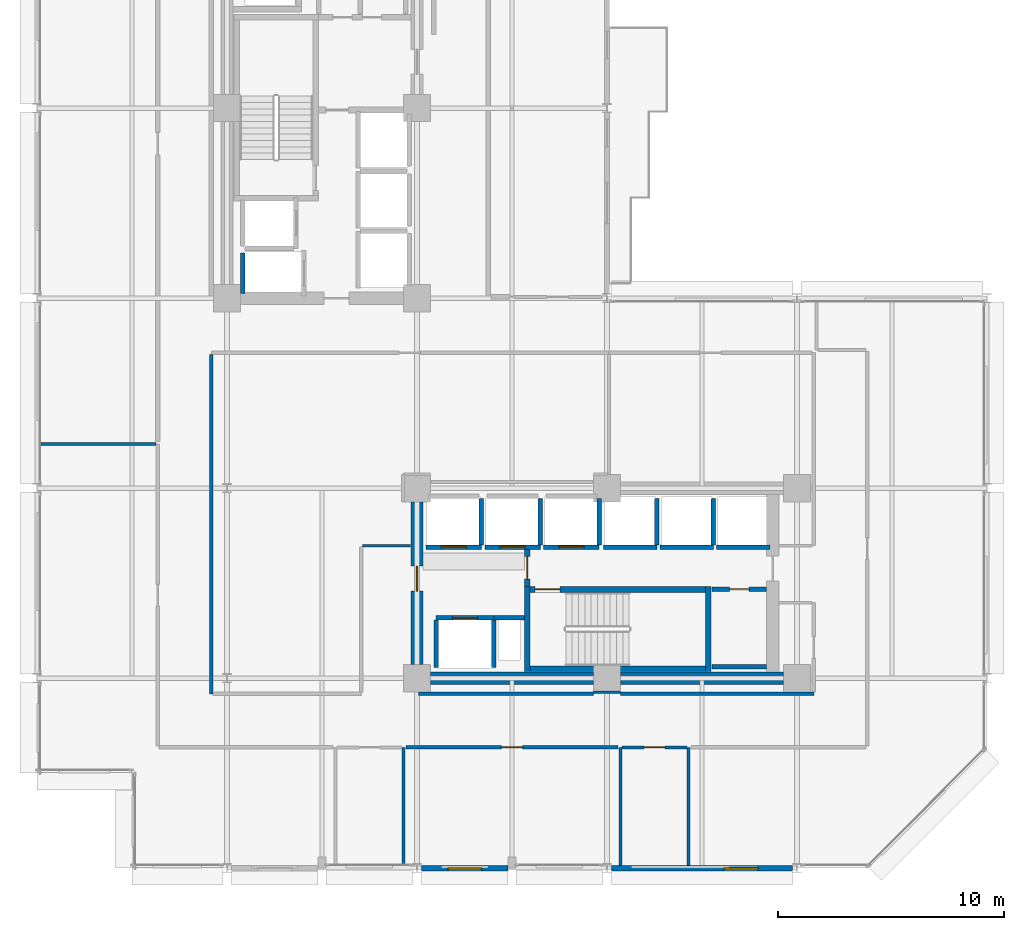
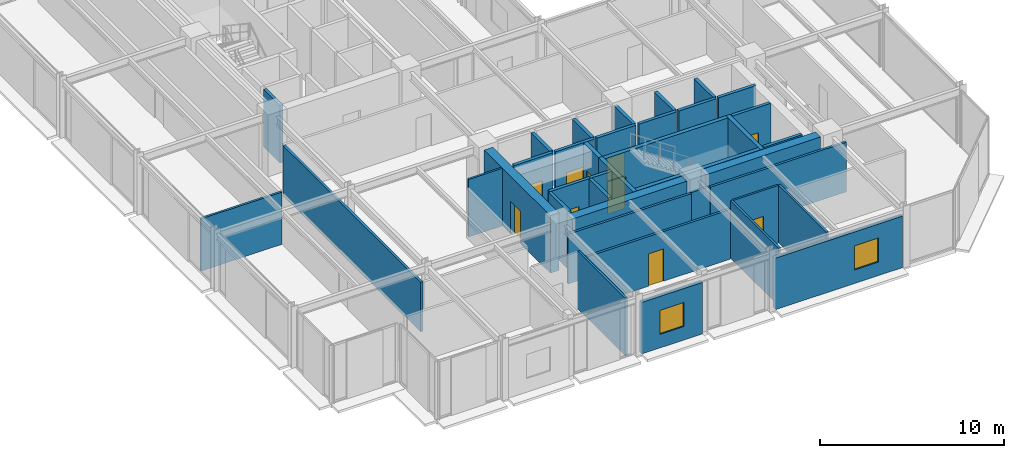
# One storey, part 24 of 30: 39 walls, 10 doors, 2 windows, 12 openings.
"""IFC4 building model written with IfcOpenShell, lengths in metres."""

from ifc_helpers import new_model, si_unit, direction, frame, frame_2d, origin, place, context, subcontext, project, spatial, rectangle, extrude, material, layer, layer_set, type_object, element, fill, save


model = new_model("IFC4")

# Units and contexts
model_context = context("Model", 3, precision=1e-05, world=origin(), true_north=direction((0.0, 1.0)))
body_context = subcontext(model_context, "Body", "Model", "MODEL_VIEW")
ifc_project = project(units=[si_unit("LENGTHUNIT", "METRE"), si_unit("AREAUNIT", "SQUARE_METRE"), si_unit("VOLUMEUNIT", "CUBIC_METRE"), si_unit("PLANEANGLEUNIT", "RADIAN"), si_unit("MASSUNIT", "GRAM", prefix="KILO")], contexts=[model_context])

# Site, building, storey
site_placement = place(None, origin())
site = spatial("IfcSite", under=ifc_project, at=site_placement, CompositionType="ELEMENT")
building_placement = place(site_placement, origin())
building = spatial("IfcBuilding", under=site, at=building_placement, Name="Nerrivon Quay Data Exchange", CompositionType="ELEMENT")
storey_placement = place(building_placement, frame((0.0, 0.0, 117.199951171875)))
storey = spatial("IfcBuildingStorey", under=building, at=storey_placement, Name="L27", CompositionType="ELEMENT", Elevation=117.199951171875)

# Wall, opening, window
ifc_material_1 = material(Name="Architectural terracotta precast concrete N50 (50 MPa)", Category="masonry")
ifc_layer_1 = layer(ifc_material_1, 0.239990234375)
ifc_layer_set_1 = layer_set([ifc_layer_1], Name="Architectural terracotta precast concrete N50 (50 MPa)")
wall_type_1 = type_object("IfcWallType", Name="EW-PREC-240", PredefinedType="STANDARD", material=ifc_layer_set_1)
wall_1_placement = place(storey_placement, frame((33.39990234375, 0.0, 0.0), z_axis=(0.0, 0.0, 1.0), x_axis=(-1.0, 0.0, 0.0)))
wall_1 = element("IfcWall", 1, at=wall_1_placement, inside=storey, type_object=wall_type_1, Name="L27 Podium Precast Spandrel Wall 3", PredefinedType="STANDARD", context=body_context, shape_type="SweptSolid", body=[
    extrude(rectangle(XDim=8.0, YDim=0.239990234375, at=frame_2d((4.0, 0.0))), origin(), (0.0, 0.0, 1.0), 3.422119140625),
])
opening_1_placement = place(wall_1_placement, frame((1.534912109375, 0.0, 0.89990234375)))
opening_1 = element("IfcOpeningElement", 2, at=opening_1_placement, cuts=wall_1, Name="Opening WN4", PredefinedType="OPENING", context=body_context, shape_type="SweptSolid", body=[
    extrude(rectangle(XDim=1.5, YDim=1.60009765625, at=frame_2d((0.75, 0.800048828125))), frame((0.0, 0.1298828125, 0.0), z_axis=(0.0, -1.0, 0.0), x_axis=(1.0, 0.0, 0.0)), (0.0, 0.0, 1.0), 0.260009765625),
])
ifc_material_2 = material(Name="Double-glazed low-E solar control glass", Category="glass")
window_type = type_object("IfcWindowType", Name="WIN-W4-1500x1600", PartitioningType="SINGLE_PANEL", PredefinedType="WINDOW", material=ifc_material_2)
window_1_placement = place(opening_1_placement, origin())
window_1 = element("IfcWindow", 3, at=window_1_placement, inside=storey, type_object=window_type, Name="L27 Solar Facade Window 3", OverallHeight=1.60009765625, OverallWidth=1.5, PartitioningType="SINGLE_PANEL", PredefinedType="WINDOW", context=body_context, shape_type="SweptSolid", body=[
    extrude(rectangle(XDim=1.5, YDim=1.60009765625, at=frame_2d((0.75, 0.800048828125))), frame((0.0, 0.030029296875, 0.0), z_axis=(0.0, -1.0, 0.0), x_axis=(1.0, 0.0, 0.0)), (0.0, 0.0, 1.0), 0.06005859375),
])
fill(opening_1, window_1)

wall_2_placement = place(storey_placement, frame((20.824951171875, 0.0, 0.0), z_axis=(0.0, 0.0, 1.0), x_axis=(-1.0, 0.0, 0.0)))
wall_2 = element("IfcWall", 4, at=wall_2_placement, inside=storey, type_object=wall_type_1, Name="L27 Podium Precast Spandrel Wall 5", PredefinedType="STANDARD", context=body_context, shape_type="SweptSolid", body=[
    extrude(rectangle(XDim=3.824951171875, YDim=0.239990234375, at=frame_2d((1.91259765625, 0.0))), origin(), (0.0, 0.0, 1.0), 3.422119140625),
])
opening_2_placement = place(wall_2_placement, frame((1.16259765625, 0.0, 0.89990234375)))
opening_2 = element("IfcOpeningElement", 5, at=opening_2_placement, cuts=wall_2, Name="Opening WN4", PredefinedType="OPENING", context=body_context, shape_type="SweptSolid", body=[
    extrude(rectangle(XDim=1.5, YDim=1.60009765625, at=frame_2d((0.75, 0.800048828125))), frame((0.0, 0.1298828125, 0.0), z_axis=(0.0, -1.0, 0.0), x_axis=(1.0, 0.0, 0.0)), (0.0, 0.0, 1.0), 0.260009765625),
])
window_2_placement = place(opening_2_placement, origin())
window_2 = element("IfcWindow", 6, at=window_2_placement, inside=storey, type_object=window_type, Name="L27 Solar Facade Window 5", OverallHeight=1.60009765625, OverallWidth=1.5, PartitioningType="SINGLE_PANEL", PredefinedType="WINDOW", context=body_context, shape_type="SweptSolid", body=[
    extrude(rectangle(XDim=1.5, YDim=1.60009765625, at=frame_2d((0.75, 0.800048828125))), frame((0.0, 0.030029296875, 0.0), z_axis=(0.0, -1.0, 0.0), x_axis=(1.0, 0.0, 0.0)), (0.0, 0.0, 1.0), 0.06005859375),
])
fill(opening_2, window_2)

# Walls
ifc_material_3 = material(Name="Concrete S65 (65 MPa)", Category="concrete")
ifc_layer_2 = layer(ifc_material_3, 0.550048828125)
ifc_layer_set_2 = layer_set([ifc_layer_2], Name="Concrete S65 (65 MPa)")
wall_type_2 = type_object("IfcWallType", Name="WALL-CW-700", PredefinedType="SHEAR", material=ifc_layer_set_2)
wall_3_placement = place(storey_placement, frame((17.39990234375, 8.39990234375, 0.0), z_axis=(0.0, 0.0, 1.0), x_axis=(1.0, 0.0, 0.0)))
element("IfcWall", 7, at=wall_3_placement, inside=storey, type_object=wall_type_2, Name="L27 East Split-Core Shear Wall ECW-S1", PredefinedType="SHEAR", context=body_context, shape_type="SweptSolid", body=[
    extrude(rectangle(XDim=7.2001953125, YDim=0.550048828125, at=frame_2d((3.60009765625, 0.0))), origin(), (0.0, 0.0, 1.0), 3.824951171875),
])
wall_4_placement = place(storey_placement, frame((25.800048828125, 8.39990234375, 0.0), z_axis=(0.0, 0.0, 1.0), x_axis=(1.0, 0.0, 0.0)))
element("IfcWall", 8, at=wall_4_placement, inside=storey, type_object=wall_type_2, Name="L27 East Split-Core Shear Wall ECW-S2", PredefinedType="SHEAR", context=body_context, shape_type="SweptSolid", body=[
    extrude(rectangle(XDim=7.199951171875, YDim=0.550048828125, at=frame_2d((3.60009765625, 0.0))), origin(), (0.0, 0.0, 1.0), 3.824951171875),
])

# Wall, opening, door
wall_5_placement = place(storey_placement, frame((16.800048828125, 9.0, 0.0), z_axis=(0.0, 0.0, 1.0), x_axis=(0.0, 1.0, 0.0)))
wall_5 = element("IfcWall", 9, at=wall_5_placement, inside=storey, type_object=wall_type_2, Name="L27 East Split-Core Shear Wall ECW-W1", PredefinedType="SHEAR", context=body_context, shape_type="SweptSolid", body=[
    extrude(rectangle(XDim=7.199951171875, YDim=0.550048828125, at=frame_2d((3.60009765625, 0.0))), origin(), (0.0, 0.0, 1.0), 3.824951171875),
])
opening_3_placement = place(wall_5_placement, frame((3.25, 0.0, 0.0)))
opening_3 = element("IfcOpeningElement", 10, at=opening_3_placement, cuts=wall_5, Name="Opening FD-120", PredefinedType="OPENING", context=body_context, shape_type="SweptSolid", body=[
    extrude(rectangle(XDim=1.10009765625, YDim=2.14990234375, at=frame_2d((0.550048828125, 1.074951171875))), frame((0.0, 0.284912109375, 0.0), z_axis=(0.0, -1.0, 0.0), x_axis=(1.0, 0.0, 0.0)), (0.0, 0.0, 1.0), 0.570068359375),
])
ifc_material_4 = material(Name="Powder-coated galvanized steel sheet", Category="steel")
door_type_1 = type_object("IfcDoorType", Name="DR-FD120-1100", OperationType="NOTDEFINED", PredefinedType="DOOR", material=ifc_material_4)
door_1_placement = place(opening_3_placement, origin())
door_1 = element("IfcDoor", 11, at=door_1_placement, inside=storey, type_object=door_type_1, Name="L27 East Core Lobby Fire Door", OperationType="SINGLE_SWING_LEFT", OverallHeight=2.14990234375, OverallWidth=1.10009765625, PredefinedType="DOOR", context=body_context, shape_type="SweptSolid", body=[
    extrude(rectangle(XDim=1.10009765625, YDim=2.14990234375, at=frame_2d((0.550048828125, 1.074951171875))), frame((0.0, 0.02490234375, 0.0), z_axis=(0.0, -1.0, 0.0), x_axis=(1.0, 0.0, 0.0)), (0.0, 0.0, 1.0), 0.050048828125),
])
fill(opening_3, door_1)

# Walls
ifc_material_5 = material(Name="Gypsum plasterboard on cold-formed framing", Category="gypsum")
ifc_layer_3 = layer(ifc_material_5, 0.199951171875)
ifc_layer_set_3 = layer_set([ifc_layer_3], Name="Gypsum plasterboard on cold-formed framing")
wall_type_3 = type_object("IfcWallType", Name="WALL-FW-200", PredefinedType="PARTITIONING", material=ifc_layer_set_3)
wall_6_placement = place(storey_placement, frame((20.199951171875, 11.080078125, 0.0), z_axis=(0.0, 0.0, 1.0), x_axis=(1.0, 0.0, 0.0)))
element("IfcWall", 12, at=wall_6_placement, inside=storey, type_object=wall_type_3, Name="L27 East Core MEP Riser Shaft Wall N", PredefinedType="PARTITIONING", context=body_context, shape_type="SweptSolid", body=[
    extrude(rectangle(XDim=1.35009765625, YDim=0.199951171875, at=frame_2d((0.675048828125, 0.0))), origin(), (0.0, 0.0, 1.0), 3.824951171875),
])
wall_7_placement = place(storey_placement, frame((9.10009765625, 25.39990234375, 0.0), z_axis=(0.0, 0.0, 1.0), x_axis=(0.0, 1.0, 0.0)))
element("IfcWall", 13, at=wall_7_placement, inside=storey, type_object=wall_type_3, Name="L27 Lift Shaft Wall SVL-1 WEST", PredefinedType="PARTITIONING", context=body_context, shape_type="SweptSolid", body=[
    extrude(rectangle(XDim=1.800048828125, YDim=0.199951171875, at=frame_2d((0.89990234375, 0.0))), origin(), (0.0, 0.0, 1.0), 3.824951171875),
])

# Wall, opening, door
wall_8_placement = place(storey_placement, frame((17.64990234375, 11.080078125, 0.0), z_axis=(0.0, 0.0, 1.0), x_axis=(1.0, 0.0, 0.0)))
wall_8 = element("IfcWall", 14, at=wall_8_placement, inside=storey, type_object=wall_type_3, Name="L27 Lift Front Wall FFL-2", PredefinedType="PARTITIONING", context=body_context, shape_type="SweptSolid", body=[
    extrude(rectangle(XDim=2.550048828125, YDim=0.199951171875, at=frame_2d((1.27490234375, 0.0))), origin(), (0.0, 0.0, 1.0), 3.824951171875),
])
opening_4_placement = place(wall_8_placement, frame((0.72509765625, 0.0, 0.0)))
opening_4 = element("IfcOpeningElement", 15, at=opening_4_placement, cuts=wall_8, Name="Opening LD-120", PredefinedType="OPENING", context=body_context, shape_type="SweptSolid", body=[
    extrude(rectangle(XDim=1.10009765625, YDim=2.199951171875, at=frame_2d((0.550048828125, 1.10009765625))), frame((0.0, 0.10986328125, 0.0), z_axis=(0.0, -1.0, 0.0), x_axis=(1.0, 0.0, 0.0)), (0.0, 0.0, 1.0), 0.219970703125),
])
door_type_2 = type_object("IfcDoorType", Name="DR-LIFT-LD120", OperationType="DOUBLE_DOOR_SLIDING", PredefinedType="DOOR", material=ifc_material_4)
door_2_placement = place(opening_4_placement, origin())
door_2 = element("IfcDoor", 16, at=door_2_placement, inside=storey, type_object=door_type_2, Name="L27 Lift Landing Sliding Door FFL-2", OperationType="DOUBLE_DOOR_SLIDING", OverallHeight=2.199951171875, OverallWidth=1.10009765625, PredefinedType="DOOR", context=body_context, shape_type="SweptSolid", body=[
    extrude(rectangle(XDim=1.10009765625, YDim=2.199951171875, at=frame_2d((0.550048828125, 1.10009765625))), frame((0.0, 0.02490234375, 0.0), z_axis=(0.0, -1.0, 0.0), x_axis=(1.0, 0.0, 0.0)), (0.0, 0.0, 1.0), 0.050048828125),
])
fill(opening_4, door_2)

# Walls
for number, where, z_axis, x_axis, name in (
    (17, (20.199951171875, 8.8798828125, 0.0), (0.0, 0.0, 1.0), (0.0, 1.0, 0.0), "L27 Lift Shaft Wall FFL-2 EAST"),
    (18, (17.64990234375, 8.8798828125, 0.0), (0.0, 0.0, 1.0), (0.0, 1.0, 0.0), "L27 Lift Shaft Wall FFL-2 WEST"),
):
    element("IfcWall", number, at=place(storey_placement, frame(where, z_axis=z_axis, x_axis=x_axis)), inside=storey, type_object=wall_type_3, Name=name, PredefinedType="PARTITIONING", context=body_context, shape_type="SweptSolid", body=[
        extrude(rectangle(XDim=2.10009765625, YDim=0.199951171875, at=frame_2d((1.050048828125, 0.0))), origin(), (0.0, 0.0, 1.0), 3.824951171875),
    ])

# Wall, opening, door
wall_9_placement = place(storey_placement, frame((17.199951171875, 14.199951171875, 0.0), z_axis=(0.0, 0.0, 1.0), x_axis=(1.0, 0.0, 0.0)))
wall_9 = element("IfcWall", 19, at=wall_9_placement, inside=storey, type_object=wall_type_3, Name="L27 Lift Front Wall PL4", PredefinedType="PARTITIONING", context=body_context, shape_type="SweptSolid", body=[
    extrude(rectangle(XDim=2.449951171875, YDim=0.199951171875, at=frame_2d((1.22509765625, 0.0))), origin(), (0.0, 0.0, 1.0), 3.824951171875),
])
opening_5_placement = place(wall_9_placement, frame((0.675048828125, 0.0, 0.0)))
opening_5 = element("IfcOpeningElement", 20, at=opening_5_placement, cuts=wall_9, Name="Opening LD-120", PredefinedType="OPENING", context=body_context, shape_type="SweptSolid", body=[
    extrude(rectangle(XDim=1.10009765625, YDim=2.199951171875, at=frame_2d((0.550048828125, 1.10009765625))), frame((0.0, 0.10986328125, 0.0), z_axis=(0.0, -1.0, 0.0), x_axis=(1.0, 0.0, 0.0)), (0.0, 0.0, 1.0), 0.219970703125),
])
door_3_placement = place(opening_5_placement, origin())
door_3 = element("IfcDoor", 21, at=door_3_placement, inside=storey, type_object=door_type_2, Name="L27 Lift Landing Sliding Door PL4", OperationType="DOUBLE_DOOR_SLIDING", OverallHeight=2.199951171875, OverallWidth=1.10009765625, PredefinedType="DOOR", context=body_context, shape_type="SweptSolid", body=[
    extrude(rectangle(XDim=1.10009765625, YDim=2.199951171875, at=frame_2d((0.550048828125, 1.10009765625))), frame((0.0, 0.02490234375, 0.0), z_axis=(0.0, -1.0, 0.0), x_axis=(1.0, 0.0, 0.0)), (0.0, 0.0, 1.0), 0.050048828125),
])
fill(opening_5, door_3)

# Wall
wall_10_placement = place(storey_placement, frame((19.64990234375, 14.300048828125, 0.0), z_axis=(0.0, 0.0, 1.0), x_axis=(0.0, 1.0, 0.0)))
element("IfcWall", 22, at=wall_10_placement, inside=storey, type_object=wall_type_3, Name="L27 Lift Shaft Wall PL4 EAST", PredefinedType="PARTITIONING", context=body_context, shape_type="SweptSolid", body=[
    extrude(rectangle(XDim=2.050048828125, YDim=0.199951171875, at=frame_2d((1.02490234375, 0.0))), origin(), (0.0, 0.0, 1.0), 3.824951171875),
])

# Wall, opening, door
wall_11_placement = place(storey_placement, frame((19.800048828125, 14.199951171875, 0.0), z_axis=(0.0, 0.0, 1.0), x_axis=(1.0, 0.0, 0.0)))
wall_11 = element("IfcWall", 23, at=wall_11_placement, inside=storey, type_object=wall_type_3, Name="L27 Lift Front Wall PL5", PredefinedType="PARTITIONING", context=body_context, shape_type="SweptSolid", body=[
    extrude(rectangle(XDim=2.449951171875, YDim=0.199951171875, at=frame_2d((1.22509765625, 0.0))), origin(), (0.0, 0.0, 1.0), 3.824951171875),
])
opening_6_placement = place(wall_11_placement, frame((0.675048828125, 0.0, 0.0)))
opening_6 = element("IfcOpeningElement", 24, at=opening_6_placement, cuts=wall_11, Name="Opening LD-120", PredefinedType="OPENING", context=body_context, shape_type="SweptSolid", body=[
    extrude(rectangle(XDim=1.10009765625, YDim=2.199951171875, at=frame_2d((0.550048828125, 1.10009765625))), frame((0.0, 0.10986328125, 0.0), z_axis=(0.0, -1.0, 0.0), x_axis=(1.0, 0.0, 0.0)), (0.0, 0.0, 1.0), 0.219970703125),
])
door_4_placement = place(opening_6_placement, origin())
door_4 = element("IfcDoor", 25, at=door_4_placement, inside=storey, type_object=door_type_2, Name="L27 Lift Landing Sliding Door PL5", OperationType="DOUBLE_DOOR_SLIDING", OverallHeight=2.199951171875, OverallWidth=1.10009765625, PredefinedType="DOOR", context=body_context, shape_type="SweptSolid", body=[
    extrude(rectangle(XDim=1.10009765625, YDim=2.199951171875, at=frame_2d((0.550048828125, 1.10009765625))), frame((0.0, 0.02490234375, 0.0), z_axis=(0.0, -1.0, 0.0), x_axis=(1.0, 0.0, 0.0)), (0.0, 0.0, 1.0), 0.050048828125),
])
fill(opening_6, door_4)

# Wall
wall_12_placement = place(storey_placement, frame((22.25, 14.300048828125, 0.0), z_axis=(0.0, 0.0, 1.0), x_axis=(0.0, 1.0, 0.0)))
element("IfcWall", 26, at=wall_12_placement, inside=storey, type_object=wall_type_3, Name="L27 Lift Shaft Wall PL5 EAST", PredefinedType="PARTITIONING", context=body_context, shape_type="SweptSolid", body=[
    extrude(rectangle(XDim=2.050048828125, YDim=0.199951171875, at=frame_2d((1.02490234375, 0.0))), origin(), (0.0, 0.0, 1.0), 3.824951171875),
])

# Wall, opening, door
wall_13_placement = place(storey_placement, frame((22.39990234375, 14.199951171875, 0.0), z_axis=(0.0, 0.0, 1.0), x_axis=(1.0, 0.0, 0.0)))
wall_13 = element("IfcWall", 27, at=wall_13_placement, inside=storey, type_object=wall_type_3, Name="L27 Lift Front Wall PL6", PredefinedType="PARTITIONING", context=body_context, shape_type="SweptSolid", body=[
    extrude(rectangle(XDim=2.4501953125, YDim=0.199951171875, at=frame_2d((1.22509765625, 0.0))), origin(), (0.0, 0.0, 1.0), 3.824951171875),
])
opening_7_placement = place(wall_13_placement, frame((0.675048828125, 0.0, 0.0)))
opening_7 = element("IfcOpeningElement", 28, at=opening_7_placement, cuts=wall_13, Name="Opening LD-120", PredefinedType="OPENING", context=body_context, shape_type="SweptSolid", body=[
    extrude(rectangle(XDim=1.10009765625, YDim=2.199951171875, at=frame_2d((0.550048828125, 1.10009765625))), frame((0.0, 0.10986328125, 0.0), z_axis=(0.0, -1.0, 0.0), x_axis=(1.0, 0.0, 0.0)), (0.0, 0.0, 1.0), 0.219970703125),
])
door_5_placement = place(opening_7_placement, origin())
door_5 = element("IfcDoor", 29, at=door_5_placement, inside=storey, type_object=door_type_2, Name="L27 Lift Landing Sliding Door PL6", OperationType="DOUBLE_DOOR_SLIDING", OverallHeight=2.199951171875, OverallWidth=1.10009765625, PredefinedType="DOOR", context=body_context, shape_type="SweptSolid", body=[
    extrude(rectangle(XDim=1.10009765625, YDim=2.199951171875, at=frame_2d((0.550048828125, 1.10009765625))), frame((0.0, 0.02490234375, 0.0), z_axis=(0.0, -1.0, 0.0), x_axis=(1.0, 0.0, 0.0)), (0.0, 0.0, 1.0), 0.050048828125),
])
fill(opening_7, door_5)

# Walls
wall_14_placement = place(storey_placement, frame((24.85009765625, 14.300048828125, 0.0), z_axis=(0.0, 0.0, 1.0), x_axis=(0.0, 1.0, 0.0)))
element("IfcWall", 30, at=wall_14_placement, inside=storey, type_object=wall_type_3, Name="L27 Lift Shaft Wall PL6 EAST", PredefinedType="PARTITIONING", context=body_context, shape_type="SweptSolid", body=[
    extrude(rectangle(XDim=2.050048828125, YDim=0.199951171875, at=frame_2d((1.02490234375, 0.0))), origin(), (0.0, 0.0, 1.0), 3.824951171875),
])
wall_15_placement = place(storey_placement, frame((25.050048828125, 14.199951171875, 0.0), z_axis=(0.0, 0.0, 1.0), x_axis=(1.0, 0.0, 0.0)))
element("IfcWall", 31, at=wall_15_placement, inside=storey, type_object=wall_type_3, Name="L27 Lift Front Wall PL7", PredefinedType="PARTITIONING", context=body_context, shape_type="SweptSolid", body=[
    extrude(rectangle(XDim=2.349853515625, YDim=0.199951171875, at=frame_2d((1.1748046875, 0.0))), origin(), (0.0, 0.0, 1.0), 3.824951171875),
])
wall_16_placement = place(storey_placement, frame((27.39990234375, 14.300048828125, 0.0), z_axis=(0.0, 0.0, 1.0), x_axis=(0.0, 1.0, 0.0)))
element("IfcWall", 32, at=wall_16_placement, inside=storey, type_object=wall_type_3, Name="L27 Lift Shaft Wall PL7 EAST", PredefinedType="PARTITIONING", context=body_context, shape_type="SweptSolid", body=[
    extrude(rectangle(XDim=2.050048828125, YDim=0.199951171875, at=frame_2d((1.02490234375, 0.0))), origin(), (0.0, 0.0, 1.0), 3.824951171875),
])
wall_17_placement = place(storey_placement, frame((27.550048828125, 14.199951171875, 0.0), z_axis=(0.0, 0.0, 1.0), x_axis=(1.0, 0.0, 0.0)))
element("IfcWall", 33, at=wall_17_placement, inside=storey, type_object=wall_type_3, Name="L27 Lift Front Wall PL8", PredefinedType="PARTITIONING", context=body_context, shape_type="SweptSolid", body=[
    extrude(rectangle(XDim=2.349853515625, YDim=0.199951171875, at=frame_2d((1.1748046875, 0.0))), origin(), (0.0, 0.0, 1.0), 3.824951171875),
])
wall_18_placement = place(storey_placement, frame((29.89990234375, 14.300048828125, 0.0), z_axis=(0.0, 0.0, 1.0), x_axis=(0.0, 1.0, 0.0)))
element("IfcWall", 34, at=wall_18_placement, inside=storey, type_object=wall_type_3, Name="L27 Lift Shaft Wall PL8 EAST", PredefinedType="PARTITIONING", context=body_context, shape_type="SweptSolid", body=[
    extrude(rectangle(XDim=2.050048828125, YDim=0.199951171875, at=frame_2d((1.02490234375, 0.0))), origin(), (0.0, 0.0, 1.0), 3.824951171875),
])
wall_19_placement = place(storey_placement, frame((30.050048828125, 14.199951171875, 0.0), z_axis=(0.0, 0.0, 1.0), x_axis=(1.0, 0.0, 0.0)))
element("IfcWall", 35, at=wall_19_placement, inside=storey, type_object=wall_type_3, Name="L27 Lift Front Wall PL9", PredefinedType="PARTITIONING", context=body_context, shape_type="SweptSolid", body=[
    extrude(rectangle(XDim=2.349853515625, YDim=0.199951171875, at=frame_2d((1.1748046875, 0.0))), origin(), (0.0, 0.0, 1.0), 3.824951171875),
])

# Wall, opening, door
wall_20_placement = place(storey_placement, frame((32.24609375, 12.330078125, 0.0), z_axis=(0.0, 0.0, 1.0), x_axis=(-1.0, 0.0, 0.0)))
wall_20 = element("IfcWall", 36, at=wall_20_placement, inside=storey, type_object=wall_type_3, Name="L27 Partition East Supply Store", PredefinedType="PARTITIONING", context=body_context, shape_type="SweptSolid", body=[
    extrude(rectangle(XDim=2.39599609375, YDim=0.199951171875, at=frame_2d((1.197998046875, 0.0))), origin(), (0.0, 0.0, 1.0), 3.824951171875),
])
opening_8_placement = place(wall_20_placement, frame((0.77294921875, 0.0, 0.0)))
opening_8 = element("IfcOpeningElement", 37, at=opening_8_placement, cuts=wall_20, Name="Opening FD-60S", PredefinedType="OPENING", context=body_context, shape_type="SweptSolid", body=[
    extrude(rectangle(XDim=0.85009765625, YDim=2.14990234375, at=frame_2d((0.425048828125, 1.074951171875))), frame((0.0, 0.10986328125, 0.0), z_axis=(0.0, -1.0, 0.0), x_axis=(1.0, 0.0, 0.0)), (0.0, 0.0, 1.0), 0.219970703125),
])
ifc_material_6 = material(Name="Engineered hardwood timber", Category="wood")
door_type_3 = type_object("IfcDoorType", Name="DR-FD60-850", OperationType="NOTDEFINED", PredefinedType="DOOR", material=ifc_material_6)
door_6_placement = place(opening_8_placement, origin())
door_6 = element("IfcDoor", 38, at=door_6_placement, inside=storey, type_object=door_type_3, Name="L27 Door East Supply Store", OperationType="SINGLE_SWING_RIGHT", OverallHeight=2.14990234375, OverallWidth=0.85009765625, PredefinedType="DOOR", context=body_context, shape_type="SweptSolid", body=[
    extrude(rectangle(XDim=0.85009765625, YDim=2.14990234375, at=frame_2d((0.425048828125, 1.074951171875))), frame((0.0, 0.02490234375, 0.0), z_axis=(0.0, -1.0, 0.0), x_axis=(1.0, 0.0, 0.0)), (0.0, 0.0, 1.0), 0.050048828125),
])
fill(opening_8, door_6)

# Wall
wall_21_placement = place(storey_placement, frame((29.85009765625, 8.89990234375, 0.0), z_axis=(0.0, 0.0, 1.0), x_axis=(1.0, 0.0, 0.0)))
element("IfcWall", 39, at=wall_21_placement, inside=storey, type_object=wall_type_3, Name="L27 Partition East Supply Store", PredefinedType="PARTITIONING", context=body_context, shape_type="SweptSolid", body=[
    extrude(rectangle(XDim=2.39599609375, YDim=0.199951171875, at=frame_2d((1.197998046875, 0.0))), origin(), (0.0, 0.0, 1.0), 3.824951171875),
])

# Wall, opening, door
ifc_layer_4 = layer(ifc_material_5, 0.1201171875)
ifc_layer_set_4 = layer_set([ifc_layer_4], Name="Gypsum plasterboard on cold-formed framing")
wall_type_4 = type_object("IfcWallType", Name="WALL-PT-120", PredefinedType="PARTITIONING", material=ifc_layer_set_4)
wall_22_placement = place(storey_placement, frame((28.728515625, 5.340087890625, 0.0), z_axis=(0.0, 0.0, 1.0), x_axis=(-1.0, 0.0, 0.0)))
wall_22 = element("IfcWall", 40, at=wall_22_placement, inside=storey, type_object=wall_type_4, Name="L27 Partition Public Washrooms", PredefinedType="PARTITIONING", context=body_context, shape_type="SweptSolid", body=[
    extrude(rectangle(XDim=2.85693359375, YDim=0.1201171875, at=frame_2d((1.428466796875, 0.0))), origin(), (0.0, 0.0, 1.0), 3.824951171875),
])
opening_9_placement = place(wall_22_placement, frame((0.968505859375, 0.0, 0.0)))
opening_9 = element("IfcOpeningElement", 41, at=opening_9_placement, cuts=wall_22, Name="Opening D-WC", PredefinedType="OPENING", context=body_context, shape_type="SweptSolid", body=[
    extrude(rectangle(XDim=0.919921875, YDim=2.10009765625, at=frame_2d((0.4599609375, 1.050048828125))), frame((0.0, 0.070068359375, 0.0), z_axis=(0.0, -1.0, 0.0), x_axis=(1.0, 0.0, 0.0)), (0.0, 0.0, 1.0), 0.14013671875),
])
door_type_4 = type_object("IfcDoorType", Name="DR-WC-920", OperationType="NOTDEFINED", PredefinedType="DOOR", material=ifc_material_6)
door_7_placement = place(opening_9_placement, origin())
door_7 = element("IfcDoor", 42, at=door_7_placement, inside=storey, type_object=door_type_4, Name="L27 Door Public Washrooms", OperationType="SINGLE_SWING_RIGHT", OverallHeight=2.10009765625, OverallWidth=0.919921875, PredefinedType="DOOR", context=body_context, shape_type="SweptSolid", body=[
    extrude(rectangle(XDim=0.919921875, YDim=2.10009765625, at=frame_2d((0.4599609375, 1.050048828125))), frame((0.0, 0.02490234375, 0.0), z_axis=(0.0, -1.0, 0.0), x_axis=(1.0, 0.0, 0.0)), (0.0, 0.0, 1.0), 0.050048828125),
])
fill(opening_9, door_7)

# Walls
wall_23_placement = place(storey_placement, frame((25.805908203125, 7.781005859375, 0.0), z_axis=(0.0, 0.0, 1.0), x_axis=(-0.999999672047, -0.000809880277, 0.0)))
element("IfcWall", 43, at=wall_23_placement, inside=storey, type_object=wall_type_4, Name="L27 Partition Staff Pantry", PredefinedType="PARTITIONING", context=body_context, shape_type="SweptSolid", body=[
    extrude(rectangle(XDim=1.205810546875, YDim=0.1201171875, at=frame_2d((0.60302734375, 0.0))), origin(), (0.0, 0.0, 1.0), 3.297119140625),
])
wall_24_placement = place(storey_placement, frame((14.39990234375, 14.260009765625, 0.0), z_axis=(0.0, 0.0, 1.0), x_axis=(1.0, 0.0, 0.0)))
element("IfcWall", 44, at=wall_24_placement, inside=storey, type_object=wall_type_4, Name="L27 Partition Staff Bistro", PredefinedType="PARTITIONING", context=body_context, shape_type="SweptSolid", body=[
    extrude(rectangle(XDim=2.12109375, YDim=0.1201171875, at=frame_2d((1.060546875, 0.0))), origin(), (0.0, 0.0, 1.0), 3.824951171875),
])
ifc_layer_5 = layer(ifc_material_5, 0.135009765625)
ifc_layer_set_5 = layer_set([ifc_layer_5], Name="Gypsum plasterboard on cold-formed framing")
wall_type_5 = type_object("IfcWallType", Name="WALL-PT-135", PredefinedType="PARTITIONING", material=ifc_layer_set_5)
wall_25_placement = place(storey_placement, frame((16.199951171875, 0.1689453125, 0.0), z_axis=(0.0, 0.0, 1.0), x_axis=(0.0, 1.0, 0.0)))
element("IfcWall", 45, at=wall_25_placement, inside=storey, type_object=wall_type_5, Name="L27 Partition Accessible Toilet", PredefinedType="PARTITIONING", context=body_context, shape_type="SweptSolid", body=[
    extrude(rectangle(XDim=5.171142578125, YDim=0.135009765625, at=frame_2d((2.58544921875, 0.0))), origin(), (0.0, 0.0, 1.0), 3.824951171875),
])
for number, where, z_axis, x_axis, name in (
    (46, (25.800048828125, 5.340087890625, 0.0), (0.0, 0.0, 1.0), (0.0, -1.0, 0.0), "L27 Partition Public Washrooms"),
    (47, (28.800048828125, 0.1240234375, 0.0), (0.0, 0.0, 1.0), (0.0, 1.0, 0.0), "L27 Partition Public Washrooms"),
):
    element("IfcWall", number, at=place(storey_placement, frame(where, z_axis=z_axis, x_axis=x_axis)), inside=storey, type_object=wall_type_5, Name=name, PredefinedType="PARTITIONING", context=body_context, shape_type="SweptSolid", body=[
        extrude(rectangle(XDim=5.216064453125, YDim=0.135009765625, at=frame_2d((2.60791015625, 0.0))), origin(), (0.0, 0.0, 1.0), 3.824951171875),
    ])
wall_26_placement = place(storey_placement, frame((5.260986328125, 18.747314453125, 0.0), z_axis=(0.0, 0.0, 1.0), x_axis=(-1.0, 0.0, 0.0)))
element("IfcWall", 48, at=wall_26_placement, inside=storey, type_object=wall_type_5, Name="L27 Partition Quiet Reading Room", PredefinedType="PARTITIONING", context=body_context, shape_type="SweptSolid", body=[
    extrude(rectangle(XDim=5.092041015625, YDim=0.135009765625, at=frame_2d((2.5458984375, 0.0))), origin(), (0.0, 0.0, 1.0), 3.468994140625),
])
ifc_layer_6 = layer(ifc_material_5, 0.14990234375)
ifc_layer_set_6 = layer_set([ifc_layer_6], Name="Gypsum plasterboard on cold-formed framing")
wall_type_6 = type_object("IfcWallType", Name="WALL-PT-150", PredefinedType="PARTITIONING", material=ifc_layer_set_6)
wall_27_placement = place(storey_placement, frame((16.860107421875, 7.7099609375, 0.0), z_axis=(0.0, 0.0, 1.0), x_axis=(1.0, 0.0, 0.0)))
element("IfcWall", 49, at=wall_27_placement, inside=storey, type_object=wall_type_6, Name="L27 Partition Staff Pantry", PredefinedType="PARTITIONING", context=body_context, shape_type="SweptSolid", body=[
    extrude(rectangle(XDim=7.739990234375, YDim=0.14990234375, at=frame_2d((3.8701171875, 0.0))), origin(), (0.0, 0.0, 1.0), 3.297119140625),
])
wall_28_placement = place(storey_placement, frame((25.805908203125, 7.7099609375, 0.0), z_axis=(0.0, 0.0, 1.0), x_axis=(1.0, 0.0, 0.0)))
element("IfcWall", 50, at=wall_28_placement, inside=storey, type_object=wall_type_6, Name="L27 Partition Staff Pantry", PredefinedType="PARTITIONING", context=body_context, shape_type="SweptSolid", body=[
    extrude(rectangle(XDim=8.5341796875, YDim=0.14990234375, at=frame_2d((4.26708984375, 0.0))), origin(), (0.0, 0.0, 1.0), 3.297119140625),
])

# Wall, opening, door
wall_29_placement = place(storey_placement, frame((25.679931640625, 5.340087890625, 0.0), z_axis=(0.0, 0.0, 1.0), x_axis=(-1.0, 0.0, 0.0)))
wall_29 = element("IfcWall", 51, at=wall_29_placement, inside=storey, type_object=wall_type_6, Name="L27 Partition Client Conference Room 1", PredefinedType="PARTITIONING", context=body_context, shape_type="SweptSolid", body=[
    extrude(rectangle(XDim=9.35986328125, YDim=0.14990234375, at=frame_2d((4.679931640625, 0.0))), origin(), (0.0, 0.0, 1.0), 3.297119140625),
])
opening_10_placement = place(wall_29_placement, frame((4.205078125, 0.0, 0.0)))
opening_10 = element("IfcOpeningElement", 52, at=opening_10_placement, cuts=wall_29, Name="Opening D-01", PredefinedType="OPENING", context=body_context, shape_type="SweptSolid", body=[
    extrude(rectangle(XDim=0.949951171875, YDim=2.14990234375, at=frame_2d((0.47509765625, 1.074951171875))), frame((0.0, 0.0849609375, 0.0), z_axis=(0.0, -1.0, 0.0), x_axis=(1.0, 0.0, 0.0)), (0.0, 0.0, 1.0), 0.169921875),
])
door_type_5 = type_object("IfcDoorType", Name="DR-INT-950", OperationType="NOTDEFINED", PredefinedType="DOOR", material=ifc_material_6)
door_8_placement = place(opening_10_placement, origin())
door_8 = element("IfcDoor", 53, at=door_8_placement, inside=storey, type_object=door_type_5, Name="L27 Door Client Conference Room 1", OperationType="SINGLE_SWING_RIGHT", OverallHeight=2.14990234375, OverallWidth=0.949951171875, PredefinedType="DOOR", context=body_context, shape_type="SweptSolid", body=[
    extrude(rectangle(XDim=0.949951171875, YDim=2.14990234375, at=frame_2d((0.47509765625, 1.074951171875))), frame((0.0, 0.02490234375, 0.0), z_axis=(0.0, -1.0, 0.0), x_axis=(1.0, 0.0, 0.0)), (0.0, 0.0, 1.0), 0.050048828125),
])
fill(opening_10, door_8)

# Walls
wall_30_placement = place(storey_placement, frame((7.7099609375, 22.7109375, 0.0), z_axis=(0.0, 0.0, 1.0), x_axis=(0.0, -1.0, 0.0)))
element("IfcWall", 54, at=wall_30_placement, inside=storey, type_object=wall_type_6, Name="L27 Partition Staff Bistro", PredefinedType="PARTITIONING", context=body_context, shape_type="SweptSolid", body=[
    extrude(rectangle(XDim=15.0009765625, YDim=0.14990234375, at=frame_2d((7.50048828125, 0.0))), origin(), (0.0, 0.0, 1.0), 3.2919921875),
])
ifc_material_7 = material(Name="Concrete N50 (50 MPa)", Category="concrete")
ifc_layer_7 = layer(ifc_material_7, 0.25)
ifc_layer_set_7 = layer_set([ifc_layer_7], Name="Concrete N50 (50 MPa)")
wall_type_7 = type_object("IfcWallType", Name="WALL-SW-250", PredefinedType="SHEAR", material=ifc_layer_set_7)
for number, where, z_axis, x_axis, name in (
    (55, (21.675048828125, 8.699951171875, 0.0), (0.0, 0.0, 1.0), (0.0, 1.0, 0.0), "L27 ST02 Structural Stair Core Wall NEAR"),
    (56, (29.675048828125, 8.699951171875, 0.0), (0.0, 0.0, 1.0), (0.0, 1.0, 0.0), "L27 ST02 Structural Stair Core Wall FAR"),
):
    element("IfcWall", number, at=place(storey_placement, frame(where, z_axis=z_axis, x_axis=x_axis)), inside=storey, type_object=wall_type_7, Name=name, PredefinedType="SHEAR", context=body_context, shape_type="SweptSolid", body=[
        extrude(rectangle(XDim=3.75, YDim=0.25, at=frame_2d((1.875, 0.0))), origin(), (0.0, 0.0, 1.0), 3.824951171875),
    ])
wall_31_placement = place(storey_placement, frame((21.800048828125, 8.824951171875, 0.0), z_axis=(0.0, 0.0, 1.0), x_axis=(1.0, 0.0, 0.0)))
element("IfcWall", 57, at=wall_31_placement, inside=storey, type_object=wall_type_7, Name="L27 ST02 Structural Stair Core Wall LEFT", PredefinedType="SHEAR", context=body_context, shape_type="SweptSolid", body=[
    extrude(rectangle(XDim=7.75, YDim=0.25, at=frame_2d((3.875, 0.0))), origin(), (0.0, 0.0, 1.0), 3.824951171875),
])

# Wall, opening, door
wall_32_placement = place(storey_placement, frame((21.800048828125, 12.324951171875, 0.0), z_axis=(0.0, 0.0, 1.0), x_axis=(1.0, 0.0, 0.0)))
wall_32 = element("IfcWall", 58, at=wall_32_placement, inside=storey, type_object=wall_type_7, Name="L27 ST02 Structural Stair Core Wall RIGHT", PredefinedType="SHEAR", context=body_context, shape_type="SweptSolid", body=[
    extrude(rectangle(XDim=7.75, YDim=0.25, at=frame_2d((3.875, 0.0))), origin(), (0.0, 0.0, 1.0), 3.824951171875),
])
opening_11_placement = place(wall_32_placement, frame((0.219970703125, 0.0, 0.0)))
opening_11 = element("IfcOpeningElement", 59, at=opening_11_placement, cuts=wall_32, Name="Opening FD-120", PredefinedType="OPENING", context=body_context, shape_type="SweptSolid", body=[
    extrude(rectangle(XDim=1.10009765625, YDim=2.14990234375, at=frame_2d((0.550048828125, 1.074951171875))), frame((0.0, 0.135009765625, 0.0), z_axis=(0.0, -1.0, 0.0), x_axis=(1.0, 0.0, 0.0)), (0.0, 0.0, 1.0), 0.27001953125),
])
door_9_placement = place(opening_11_placement, origin())
door_9 = element("IfcDoor", 60, at=door_9_placement, inside=storey, type_object=door_type_1, Name="L27 Protected Stair Door ST02", OperationType="SINGLE_SWING_LEFT", OverallHeight=2.14990234375, OverallWidth=1.10009765625, PredefinedType="DOOR", context=body_context, shape_type="SweptSolid", body=[
    extrude(rectangle(XDim=1.10009765625, YDim=2.14990234375, at=frame_2d((0.550048828125, 1.074951171875))), frame((0.0, 0.02490234375, 0.0), z_axis=(0.0, -1.0, 0.0), x_axis=(1.0, 0.0, 0.0)), (0.0, 0.0, 1.0), 0.050048828125),
])
fill(opening_11, door_9)

wall_33_placement = place(storey_placement, frame((21.679931640625, 12.449951171875, 0.0), z_axis=(0.0, 0.0, 1.0), x_axis=(0.0, 1.0, 0.0)))
wall_33 = element("IfcWall", 61, at=wall_33_placement, inside=storey, type_object=wall_type_7, Name="L27 East Firefighting Lobby Wall", PredefinedType="SHEAR", context=body_context, shape_type="SweptSolid", body=[
    extrude(rectangle(XDim=1.650146484375, YDim=0.25, at=frame_2d((0.8251953125, 0.0))), origin(), (0.0, 0.0, 1.0), 3.824951171875),
])
opening_12_placement = place(wall_33_placement, frame((0.324951171875, 0.0, 0.0)))
opening_12 = element("IfcOpeningElement", 62, at=opening_12_placement, cuts=wall_33, Name="Opening FD-60", PredefinedType="OPENING", context=body_context, shape_type="SweptSolid", body=[
    extrude(rectangle(XDim=1.0, YDim=2.14990234375, at=frame_2d((0.5, 1.074951171875))), frame((0.0, 0.135009765625, 0.0), z_axis=(0.0, -1.0, 0.0), x_axis=(1.0, 0.0, 0.0)), (0.0, 0.0, 1.0), 0.27001953125),
])
door_type_6 = type_object("IfcDoorType", Name="DR-FD60-1000", OperationType="NOTDEFINED", PredefinedType="DOOR", material=ifc_material_6)
door_10_placement = place(opening_12_placement, origin())
door_10 = element("IfcDoor", 63, at=door_10_placement, inside=storey, type_object=door_type_6, Name="L27 East Firefighting Lobby Fire Door", OperationType="SINGLE_SWING_LEFT", OverallHeight=2.14990234375, OverallWidth=1.0, PredefinedType="DOOR", context=body_context, shape_type="SweptSolid", body=[
    extrude(rectangle(XDim=1.0, YDim=2.14990234375, at=frame_2d((0.5, 1.074951171875))), frame((0.0, 0.02490234375, 0.0), z_axis=(0.0, -1.0, 0.0), x_axis=(1.0, 0.0, 0.0)), (0.0, 0.0, 1.0), 0.050048828125),
])
fill(opening_12, door_10)

save(model, "model.ifc")
